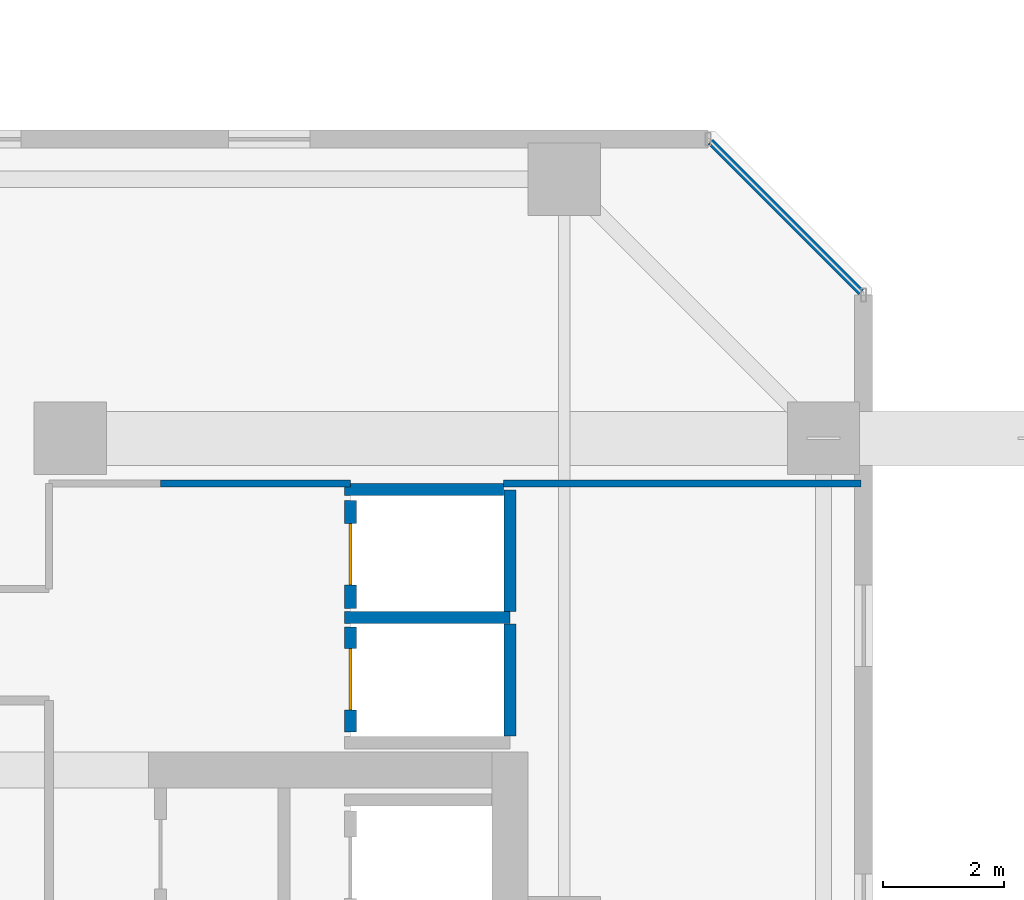
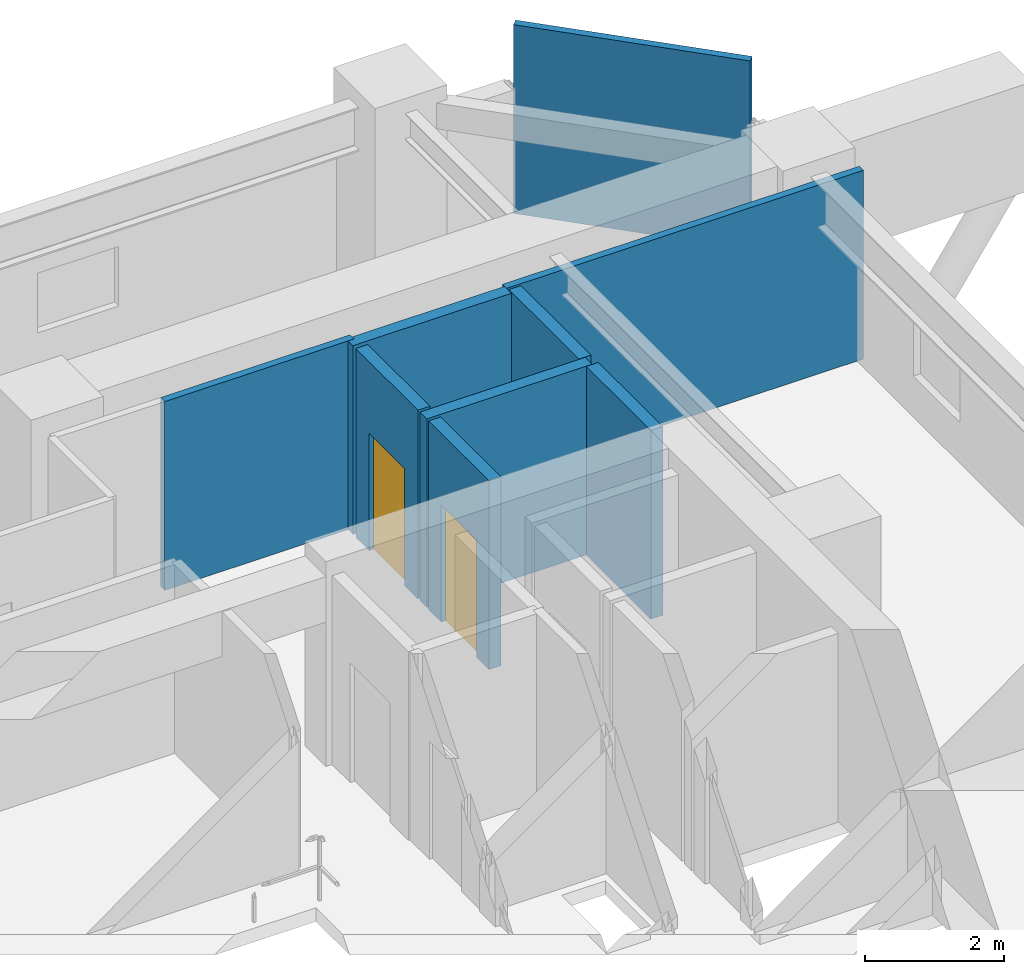
# One storey, part 29 of 36: 9 walls, 2 doors, 2 openings.
"""IFC4 building model written with IfcOpenShell, lengths in metres."""

from ifc_helpers import new_model, si_unit, direction, frame, frame_2d, origin, place, context, subcontext, project, spatial, rectangle, extrude, material, layer, layer_set, type_object, element, fill, save


model = new_model("IFC4")

# Units and contexts
model_context = context("Model", 3, precision=1e-05, world=origin(), true_north=direction((0.0, 1.0)))
body_context = subcontext(model_context, "Body", "Model", "MODEL_VIEW")
ifc_project = project(units=[si_unit("LENGTHUNIT", "METRE"), si_unit("AREAUNIT", "SQUARE_METRE"), si_unit("VOLUMEUNIT", "CUBIC_METRE"), si_unit("PLANEANGLEUNIT", "RADIAN"), si_unit("MASSUNIT", "GRAM", prefix="KILO")], contexts=[model_context])

# Site, building, storey
site_placement = place(None, origin())
site = spatial("IfcSite", under=ifc_project, at=site_placement, CompositionType="ELEMENT")
building_placement = place(site_placement, origin())
building = spatial("IfcBuilding", under=site, at=building_placement, Name="Thornwick Lancets Civic Towers", CompositionType="ELEMENT")
storey_placement = place(building_placement, frame((0.0, 0.0, 116.10009765625)))
storey = spatial("IfcBuildingStorey", under=building, at=storey_placement, Name="L30", CompositionType="ELEMENT", Elevation=116.10009765625)

# Wall, opening, door
ifc_material_1 = material(Name="Concrete blockwork C40/50", Category="masonry")
ifc_layer_1 = layer(ifc_material_1, 0.199951171875, Name="Concrete blockwork C40/50")
ifc_layer_set_1 = layer_set([ifc_layer_1], Name="Concrete blockwork C40/50")
wall_type_1 = type_object("IfcWallType", Name="WALL_COMP_200", PredefinedType="STANDARD", material=ifc_layer_set_1)
wall_1_placement = place(storey_placement, frame((97.949951171875, 36.8701171875, 0.0), z_axis=(0.0, 0.0, 1.0), x_axis=(0.0, -1.0, 0.0)))
wall_1 = element("IfcWall", 1, at=wall_1_placement, inside=storey, type_object=wall_type_1, Name="L30 Hoistway Front Wall PL-BL2", PredefinedType="STANDARD", context=body_context, shape_type="SweptSolid", body=[
    extrude(rectangle(XDim=1.740234375, YDim=0.199951171875, at=frame_2d((0.8701171875, 0.0))), origin(), (0.0, 0.0, 1.0), 3.31982421875),
])
opening_1_placement = place(wall_1_placement, frame((0.360107421875, 0.0, 0.0)))
opening_1 = element("IfcOpeningElement", 2, at=opening_1_placement, cuts=wall_1, Name="Opening LD-PL-BL2", PredefinedType="OPENING", context=body_context, shape_type="SweptSolid", body=[
    extrude(rectangle(XDim=1.02001953125, YDim=2.06005859375, at=frame_2d((0.510009765625, 1.030029296875))), frame((0.0, 0.10986328125, 0.0), z_axis=(0.0, -1.0, 0.0), x_axis=(1.0, 0.0, 0.0)), (0.0, 0.0, 1.0), 0.219970703125),
])
ifc_material_2 = material(Name="Brushed bronze stainless steel", Category="steel")
door_type = type_object("IfcDoorType", Name="DOOR_LIFT_SLIDE", OperationType="SLIDING_TO_LEFT", PredefinedType="DOOR", material=ifc_material_2)
door_1_placement = place(opening_1_placement, origin())
door_1 = element("IfcDoor", 3, at=door_1_placement, inside=storey, type_object=door_type, Name="L30 Sliding Lift Landing Door LD-PL-BL2", OperationType="SLIDING_TO_LEFT", OverallHeight=2.06005859375, OverallWidth=1.02001953125, PredefinedType="DOOR", context=body_context, shape_type="SweptSolid", body=[
    extrude(rectangle(XDim=1.02001953125, YDim=2.06005859375, at=frame_2d((0.510009765625, 1.030029296875))), frame((0.0, 0.02490234375, 0.0), z_axis=(0.0, -1.0, 0.0), x_axis=(1.0, 0.0, 0.0)), (0.0, 0.0, 1.0), 0.050048828125),
])
fill(opening_1, door_1)

wall_2_placement = place(storey_placement, frame((97.949951171875, 38.969970703125, 0.0), z_axis=(0.0, 0.0, 1.0), x_axis=(0.0, -1.0, 0.0)))
wall_2 = element("IfcWall", 4, at=wall_2_placement, inside=storey, type_object=wall_type_1, Name="L30 Hoistway Front Wall PL-BL3", PredefinedType="STANDARD", context=body_context, shape_type="SweptSolid", body=[
    extrude(rectangle(XDim=1.7900390625, YDim=0.199951171875, at=frame_2d((0.89501953125, 0.0))), origin(), (0.0, 0.0, 1.0), 3.31982421875),
])
opening_2_placement = place(wall_2_placement, frame((0.385009765625, 0.0, 0.0)))
opening_2 = element("IfcOpeningElement", 5, at=opening_2_placement, cuts=wall_2, Name="Opening LD-PL-BL3", PredefinedType="OPENING", context=body_context, shape_type="SweptSolid", body=[
    extrude(rectangle(XDim=1.02001953125, YDim=2.06005859375, at=frame_2d((0.510009765625, 1.030029296875))), frame((0.0, 0.10986328125, 0.0), z_axis=(0.0, -1.0, 0.0), x_axis=(1.0, 0.0, 0.0)), (0.0, 0.0, 1.0), 0.219970703125),
])
door_2_placement = place(opening_2_placement, origin())
door_2 = element("IfcDoor", 6, at=door_2_placement, inside=storey, type_object=door_type, Name="L30 Sliding Lift Landing Door LD-PL-BL3", OperationType="SLIDING_TO_LEFT", OverallHeight=2.06005859375, OverallWidth=1.02001953125, PredefinedType="DOOR", context=body_context, shape_type="SweptSolid", body=[
    extrude(rectangle(XDim=1.02001953125, YDim=2.06005859375, at=frame_2d((0.510009765625, 1.030029296875))), frame((0.0, 0.02490234375, 0.0), z_axis=(0.0, -1.0, 0.0), x_axis=(1.0, 0.0, 0.0)), (0.0, 0.0, 1.0), 0.050048828125),
])
fill(opening_2, door_2)

# Walls
wall_3_placement = place(storey_placement, frame((97.85205078125, 37.02490234375, 0.0), z_axis=(0.0, 0.0, 1.0), x_axis=(1.0, 0.0, 0.0)))
element("IfcWall", 7, at=wall_3_placement, inside=storey, type_object=wall_type_1, Name="L30 Hoistway Shaft Wall PL-BL2 N", PredefinedType="STANDARD", context=body_context, shape_type="SweptSolid", body=[
    extrude(rectangle(XDim=2.745849609375, YDim=0.199951171875, at=frame_2d((1.373046875, 0.0))), origin(), (0.0, 0.0, 1.0), 3.31982421875),
])
wall_4_placement = place(storey_placement, frame((100.60009765625, 35.06201171875, 0.0), z_axis=(0.0, 0.0, 1.0), x_axis=(0.0, 1.0, 0.0)))
element("IfcWall", 8, at=wall_4_placement, inside=storey, type_object=wall_type_1, Name="L30 Hoistway Shaft Wall PL-BL2 E", PredefinedType="STANDARD", context=body_context, shape_type="SweptSolid", body=[
    extrude(rectangle(XDim=1.85595703125, YDim=0.199951171875, at=frame_2d((0.927978515625, 0.0))), origin(), (0.0, 0.0, 1.0), 3.31982421875),
])
wall_5_placement = place(storey_placement, frame((100.60009765625, 37.132080078125, 0.0), z_axis=(0.0, 0.0, 1.0), x_axis=(0.0, 1.0, 0.0)))
element("IfcWall", 9, at=wall_5_placement, inside=storey, type_object=wall_type_1, Name="L30 Hoistway Shaft Wall PL-BL2 E", PredefinedType="STANDARD", context=body_context, shape_type="SweptSolid", body=[
    extrude(rectangle(XDim=2.015869140625, YDim=0.199951171875, at=frame_2d((1.0078125, 0.0))), origin(), (0.0, 0.0, 1.0), 3.31982421875),
])
wall_6_placement = place(storey_placement, frame((97.85205078125, 39.14990234375, 0.0), z_axis=(0.0, 0.0, 1.0), x_axis=(1.0, 0.0, 0.0)))
element("IfcWall", 10, at=wall_6_placement, inside=storey, type_object=wall_type_1, Name="L30 Hoistway Shaft Wall PL-BL3 N", PredefinedType="STANDARD", context=body_context, shape_type="SweptSolid", body=[
    extrude(rectangle(XDim=2.635986328125, YDim=0.199951171875, at=frame_2d((1.31787109375, 0.0))), origin(), (0.0, 0.0, 1.0), 3.31982421875),
])
ifc_material_3 = material(Name="Acoustic gypsum board partition")
ifc_layer_2 = layer(ifc_material_3, 0.1201171875, Name="Acoustic gypsum board partition")
ifc_layer_set_2 = layer_set([ifc_layer_2], Name="Acoustic gypsum board partition")
wall_type_2 = type_object("IfcWallType", Name="WALL_PART_120", PredefinedType="PARTITIONING", material=ifc_layer_set_2)
wall_7_placement = place(storey_placement, frame((106.419921875, 39.25, 0.0), z_axis=(0.0, 0.0, 1.0), x_axis=(-1.0, 0.0, 0.0)))
element("IfcWall", 11, at=wall_7_placement, inside=storey, type_object=wall_type_2, Name="L30 Partition L30-B-E1 E2", PredefinedType="PARTITIONING", context=body_context, shape_type="SweptSolid", body=[
    extrude(rectangle(XDim=5.931884765625, YDim=0.1201171875, at=frame_2d((2.9658203125, 0.0))), origin(), (0.0, 0.0, 1.0), 3.31982421875),
])
wall_8_placement = place(storey_placement, frame((97.949951171875, 39.25, 0.0), z_axis=(0.0, 0.0, 1.0), x_axis=(-1.0, 0.0, 0.0)))
element("IfcWall", 12, at=wall_8_placement, inside=storey, type_object=wall_type_2, Name="L30 Partition L30-B-E1 E3", PredefinedType="PARTITIONING", context=body_context, shape_type="SweptSolid", body=[
    extrude(rectangle(XDim=3.14990234375, YDim=0.1201171875, at=frame_2d((1.574951171875, 0.0))), origin(), (0.0, 0.0, 1.0), 3.31982421875),
])
wall_9_placement = place(storey_placement, frame((103.92529296875, 44.919921875, 0.0), z_axis=(0.0, 0.0, 1.0), x_axis=(0.707106781187, -0.707106781187, 0.0)))
element("IfcWall", 13, at=wall_9_placement, inside=storey, type_object=wall_type_2, Name="L30 Partition L30-B-E1 E9", PredefinedType="PARTITIONING", context=body_context, shape_type="SweptSolid", body=[
    extrude(rectangle(XDim=3.52783203125, YDim=0.1201171875, at=frame_2d((1.763916015625, 0.0))), origin(), (0.0, 0.0, 1.0), 3.31982421875),
])

save(model, "model.ifc")
